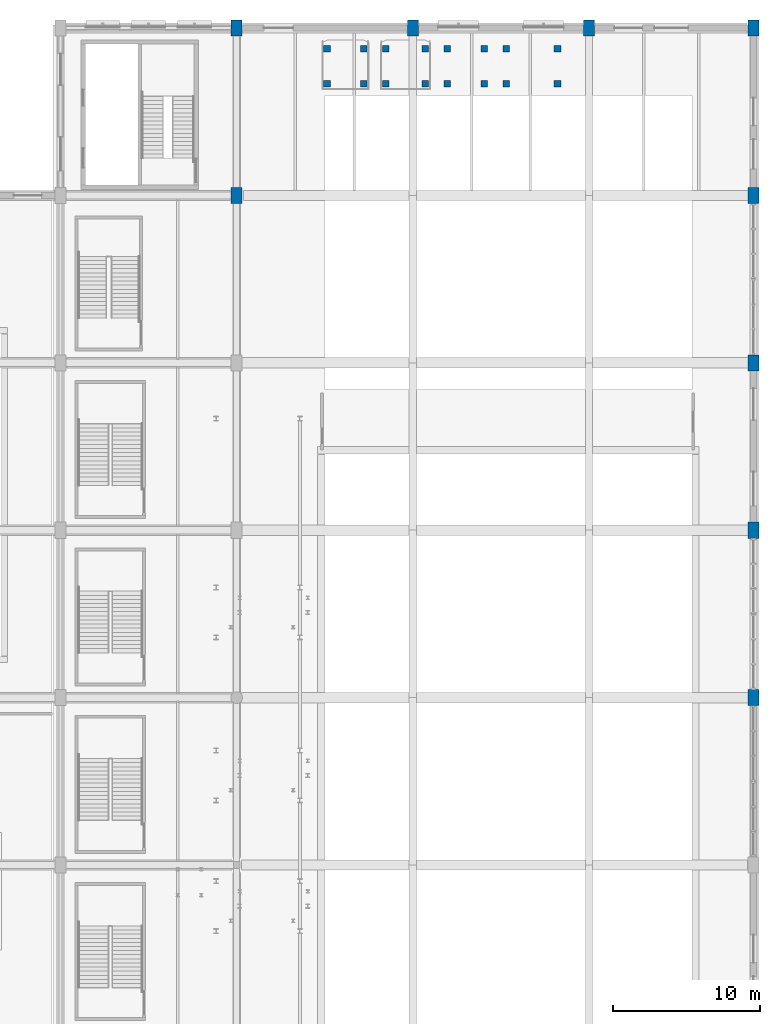
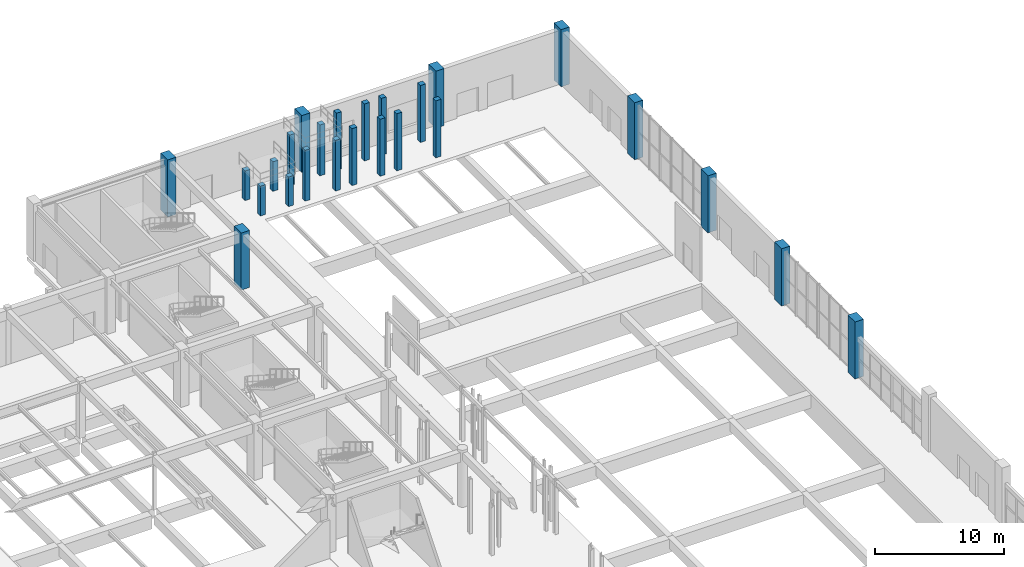
# One storey, part 22 of 113: 25 columns.
"""IFC4 building model written with IfcOpenShell, lengths in metres."""

from ifc_helpers import new_model, si_unit, direction, frame, origin, origin_2d, place, context, subcontext, project, spatial, rectangle, extrude, material, material_profile, profile_set, type_object, element, save


model = new_model("IFC4")

# Units and contexts
model_context = context("Model", 3, precision=1e-05, world=origin(), true_north=direction((0.0, 1.0)))
body_context = subcontext(model_context, "Body", "Model", "MODEL_VIEW")
ifc_project = project(units=[si_unit("LENGTHUNIT", "METRE"), si_unit("AREAUNIT", "SQUARE_METRE"), si_unit("VOLUMEUNIT", "CUBIC_METRE"), si_unit("PLANEANGLEUNIT", "RADIAN"), si_unit("MASSUNIT", "GRAM", prefix="KILO"), si_unit("POWERUNIT", "WATT"), si_unit("THERMODYNAMICTEMPERATUREUNIT", "KELVIN")], contexts=[model_context])

# Site, building, storey
site_placement = place(None, origin())
site = spatial("IfcSite", under=ifc_project, at=site_placement, CompositionType="ELEMENT")
building_placement = place(site_placement, origin())
building = spatial("IfcBuilding", under=site, at=building_placement, Name="Kelmbourne Parkland Aquatics Centre", CompositionType="ELEMENT")
storey_placement = place(building_placement, origin())
storey = spatial("IfcBuildingStorey", under=building, at=storey_placement, Name="L00", CompositionType="ELEMENT", Elevation=0.0)

# Columns
ifc_material = material(Name="Concrete C40/50", Category="concrete")
ifc_material_profile_1 = material_profile(ifc_material, rectangle(XDim=0.75, YDim=1.10009765625, at=origin_2d()), Name="RC 750x1100")
ifc_profile_set_1 = profile_set([ifc_material_profile_1], Name="Concrete C40/50")
column_type_1 = type_object("IfcColumnType", Name="COL-C03", PredefinedType="COLUMN", material=ifc_profile_set_1)
for number, where, z_axis, x_axis, name in (
    (1, (140.0, 103.39990234375, 0.0), (0.0, 0.0, 1.0), (1.0, 0.0, 0.0), "Structural column Q-13 (L00)"),
    (2, (140.0, 114.800048828125, 0.0), (0.0, 0.0, 1.0), (1.0, 0.0, 0.0), "Structural column Q-14 (L00)"),
    (3, (152.0, 114.800048828125, 0.0), (0.0, 0.0, 1.0), (1.0, 0.0, 0.0), "Structural column R-14 (L00)"),
    (4, (164.0, 114.800048828125, 0.0), (0.0, 0.0, 1.0), (1.0, 0.0, 0.0), "Structural column S-14 (L00)"),
    (5, (175.199951171875, 69.199951171875, 0.0), (0.0, 0.0, 1.0), (1.0, 0.0, 0.0), "Structural column T-10 (L00)"),
    (6, (175.199951171875, 80.60009765625, 0.0), (0.0, 0.0, 1.0), (1.0, 0.0, 0.0), "Structural column T-11 (L00)"),
    (7, (175.199951171875, 92.0, 0.0), (0.0, 0.0, 1.0), (1.0, 0.0, 0.0), "Structural column T-12 (L00)"),
    (8, (175.199951171875, 103.39990234375, 0.0), (0.0, 0.0, 1.0), (1.0, 0.0, 0.0), "Structural column T-13 (L00)"),
    (9, (175.199951171875, 114.800048828125, 0.0), (0.0, 0.0, 1.0), (1.0, 0.0, 0.0), "Structural column T-14 (L00)"),
):
    element("IfcColumn", number, at=place(storey_placement, frame(where, z_axis=z_axis, x_axis=x_axis)), inside=storey, type_object=column_type_1, Name=name, PredefinedType="COLUMN", context=body_context, shape_type="SweptSolid", body=[
        extrude(rectangle(XDim=0.75, YDim=1.10009765625, at=origin_2d()), origin(), (0.0, 0.0, 1.0), 5.39990234375),
    ])
ifc_material_profile_2 = material_profile(ifc_material, rectangle(XDim=0.449951171875, YDim=0.449951171875, at=origin_2d()), Name="RC 450x450")
ifc_profile_set_2 = profile_set([ifc_material_profile_2], Name="Concrete C40/50")
column_type_2 = type_object("IfcColumnType", Name="COL-C08", PredefinedType="COLUMN", material=ifc_profile_set_2)
for number, where, z_axis, x_axis, name in (
    (10, (146.14990234375, 111.0, 0.0), (0.0, 0.0, 1.0), (1.0, 0.0, 0.0), "Diving tower L00 pier 3M-1"),
    (11, (148.64990234375, 111.0, 0.0), (0.0, 0.0, 1.0), (1.0, 0.0, 0.0), "Diving tower L00 pier 3M-2"),
    (12, (146.14990234375, 113.39990234375, 0.0), (0.0, 0.0, 1.0), (1.0, 0.0, 0.0), "Diving tower L00 pier 3M-3"),
    (13, (148.64990234375, 113.39990234375, 0.0), (0.0, 0.0, 1.0), (1.0, 0.0, 0.0), "Diving tower L00 pier 3M-4"),
):
    element("IfcColumn", number, at=place(storey_placement, frame(where, z_axis=z_axis, x_axis=x_axis)), inside=storey, type_object=column_type_2, Name=name, PredefinedType="COLUMN", context=body_context, shape_type="SweptSolid", body=[
        extrude(rectangle(XDim=0.449951171875, YDim=0.449951171875, at=origin_2d()), origin(), (0.0, 0.0, 1.0), 2.800048828125),
    ])
for number, where, z_axis, x_axis, name in (
    (14, (150.14990234375, 111.0, 0.0), (0.0, 0.0, 1.0), (1.0, 0.0, 0.0), "Diving tower L00 pier 5M-1"),
    (15, (152.85009765625, 111.0, 0.0), (0.0, 0.0, 1.0), (1.0, 0.0, 0.0), "Diving tower L00 pier 5M-2"),
    (16, (150.14990234375, 113.39990234375, 0.0), (0.0, 0.0, 1.0), (1.0, 0.0, 0.0), "Diving tower L00 pier 5M-3"),
    (17, (152.85009765625, 113.39990234375, 0.0), (0.0, 0.0, 1.0), (1.0, 0.0, 0.0), "Diving tower L00 pier 5M-4"),
):
    element("IfcColumn", number, at=place(storey_placement, frame(where, z_axis=z_axis, x_axis=x_axis)), inside=storey, type_object=column_type_2, Name=name, PredefinedType="COLUMN", context=body_context, shape_type="SweptSolid", body=[
        extrude(rectangle(XDim=0.449951171875, YDim=0.449951171875, at=origin_2d()), origin(), (0.0, 0.0, 1.0), 4.800048828125),
    ])
for number, where, z_axis, x_axis, name in (
    (18, (154.35009765625, 111.0, 0.0), (0.0, 0.0, 1.0), (1.0, 0.0, 0.0), "Diving tower L00 pier 7M5-1"),
    (19, (156.85009765625, 111.0, 0.0), (0.0, 0.0, 1.0), (1.0, 0.0, 0.0), "Diving tower L00 pier 7M5-2"),
    (20, (154.35009765625, 113.39990234375, 0.0), (0.0, 0.0, 1.0), (1.0, 0.0, 0.0), "Diving tower L00 pier 7M5-3"),
    (21, (156.85009765625, 113.39990234375, 0.0), (0.0, 0.0, 1.0), (1.0, 0.0, 0.0), "Diving tower L00 pier 7M5-4"),
    (22, (158.35009765625, 111.0, 0.0), (0.0, 0.0, 1.0), (1.0, 0.0, 0.0), "Diving tower L00 pier 10M-1"),
    (23, (161.85009765625, 111.0, 0.0), (0.0, 0.0, 1.0), (1.0, 0.0, 0.0), "Diving tower L00 pier 10M-2"),
    (24, (158.35009765625, 113.39990234375, 0.0), (0.0, 0.0, 1.0), (1.0, 0.0, 0.0), "Diving tower L00 pier 10M-3"),
    (25, (161.85009765625, 113.39990234375, 0.0), (0.0, 0.0, 1.0), (1.0, 0.0, 0.0), "Diving tower L00 pier 10M-4"),
):
    element("IfcColumn", number, at=place(storey_placement, frame(where, z_axis=z_axis, x_axis=x_axis)), inside=storey, type_object=column_type_2, Name=name, PredefinedType="COLUMN", context=body_context, shape_type="SweptSolid", body=[
        extrude(rectangle(XDim=0.449951171875, YDim=0.449951171875, at=origin_2d()), origin(), (0.0, 0.0, 1.0), 5.39990234375),
    ])

save(model, "model.ifc")
